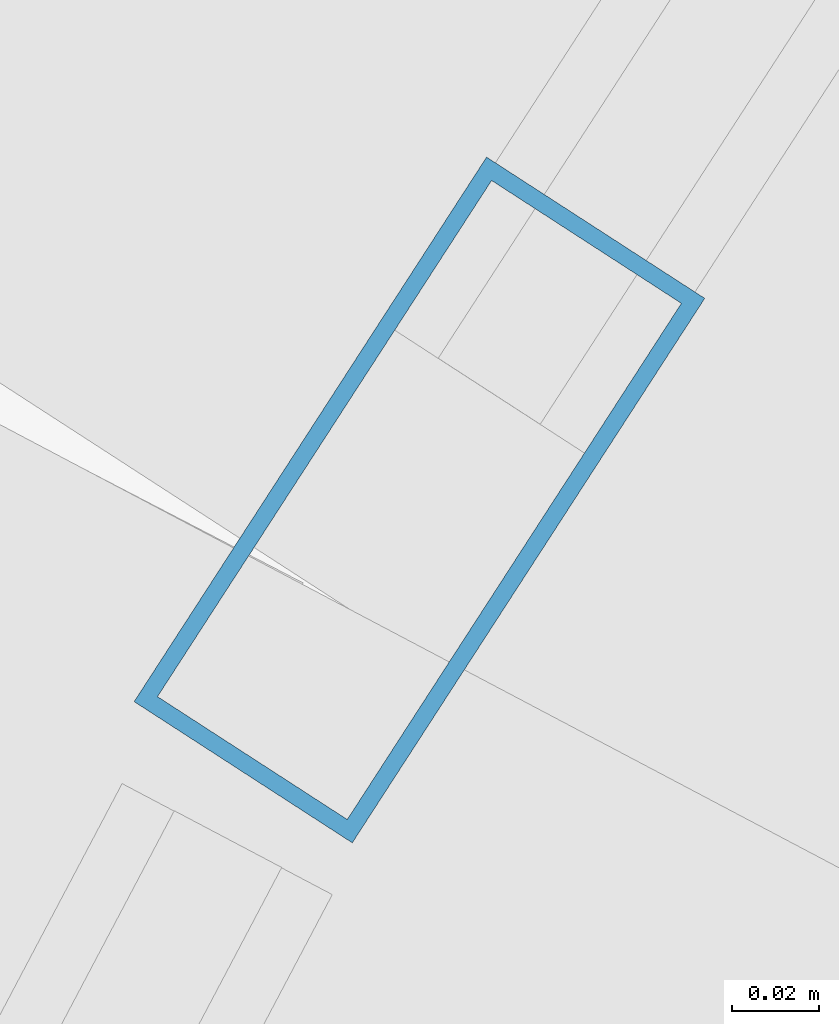
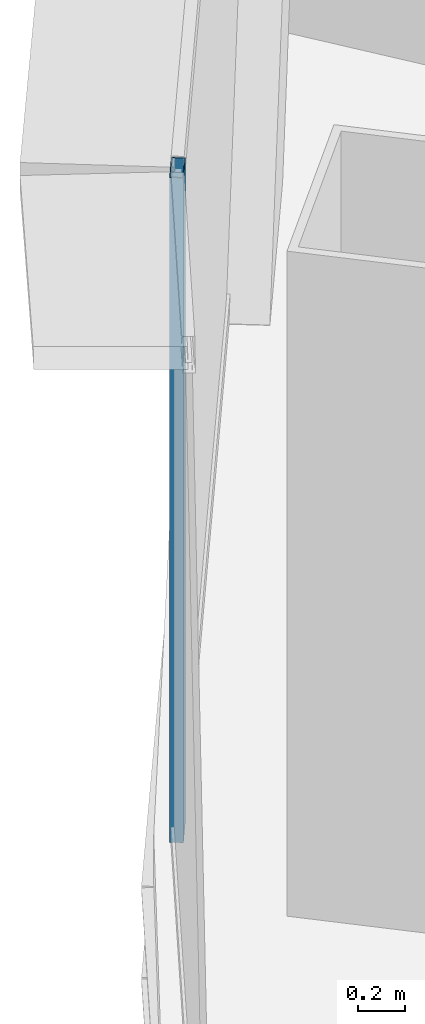
# One storey, part 16 of 39: 1 member, 1 element without a shape of its own.
"""IFC4 building model written with IfcOpenShell, lengths in metres."""

import ifcopenshell
import ifcopenshell.guid

model = None  # the IFC model being written
_history = None  # IfcOwnerHistory: only IFC2X3 demands one
_inside = {}  # id of a spatial element -> (the spatial element, [elements in it])
_under = {}  # id of a project, library or spatial element -> (it, [spatial elements below it])
_declared = {}  # id of a project -> (the project, [libraries it declares])
_typed = {}  # id of a type object -> (the type object, [elements of that type])
_made_of = {}  # id of a material, layer set ... -> (it, [elements and type objects made of it])


def new_model(schema):
    """Start an empty IFC model of exactly this schema.

    Asked for "IFC4X3", IfcOpenShell would pick the latest addendum, in which some entities
    have other attributes; the version numbers below select the first issue.
    IFC2X3 requires an IfcOwnerHistory on every rooted entity: one is made here for all.
    """
    global model, _history
    if schema == "IFC4X3":
        model = ifcopenshell.file(schema_version=(4, 3, 0, 0))
    else:
        model = ifcopenshell.file(schema=schema)
    _inside.clear()
    _under.clear()
    _declared.clear()
    _typed.clear()
    _made_of.clear()
    _history = None
    if model.schema == "IFC2X3":
        org = make("IfcOrganization", Name="unknown")
        user = make(
            "IfcPersonAndOrganization",
            ThePerson=make("IfcPerson", FamilyName="unknown"),
            TheOrganization=org,
        )
        app = make(
            "IfcApplication",
            ApplicationDeveloper=org,
            Version="unknown",
            ApplicationFullName="unknown",
            ApplicationIdentifier="unknown",
        )
        _history = make(
            "IfcOwnerHistory",
            OwningUser=user,
            OwningApplication=app,
            ChangeAction="ADDED",
            CreationDate=0,
        )
    return model


def make(cls, **values):
    """One entity of the class cls with the attributes given. An attribute that is None is left unset."""
    return model.create_entity(
        cls, **{name: value for name, value in values.items() if value is not None}
    )


def rooted(cls, **values):
    """An entity with a GlobalId (a new one), such as an element, a storey or a relation."""
    return make(cls, GlobalId=ifcopenshell.guid.new(), OwnerHistory=_history, **values)


def si_unit(unit_type, name, prefix=None):
    """IfcSIUnit, for example si_unit("LENGTHUNIT", "METRE", prefix="MILLI")."""
    return make("IfcSIUnit", UnitType=unit_type, Prefix=prefix, Name=name)


def assignment(units):
    """IfcUnitAssignment: the units of a project."""
    return None if units is None else make("IfcUnitAssignment", Units=units)


def point(xyz):
    """IfcCartesianPoint."""
    return None if xyz is None else make("IfcCartesianPoint", Coordinates=xyz)


def direction(xyz):
    """IfcDirection."""
    return None if xyz is None else make("IfcDirection", DirectionRatios=xyz)


def frame(location, z_axis=None, x_axis=None):
    """IfcAxis2Placement3D, a coordinate frame: its origin and axes. An axis left out is left unset."""
    return make(
        "IfcAxis2Placement3D",
        Location=point(location),
        Axis=direction(z_axis),
        RefDirection=direction(x_axis),
    )


def frame_2d(location, x_axis=None):
    """IfcAxis2Placement2D, a coordinate frame in the plane: its origin and x axis."""
    return make(
        "IfcAxis2Placement2D", Location=point(location), RefDirection=direction(x_axis)
    )


def origin():
    """The frame at (0, 0, 0) with its axes left unset."""
    return frame((0.0, 0.0, 0.0))


def origin_2d():
    """The frame at (0, 0) in the plane with its x axis left unset."""
    return frame_2d((0.0, 0.0))


def place(relative_to, where):
    """IfcLocalPlacement: puts the frame where relative to a parent placement (None: the world)."""
    return make(
        "IfcLocalPlacement", PlacementRelTo=relative_to, RelativePlacement=where
    )


def context(
    kind, dimensions, precision=None, world=None, true_north=None, identifier=None
):
    """IfcGeometricRepresentationContext, for example the 3D "Model" context."""
    return make(
        "IfcGeometricRepresentationContext",
        ContextIdentifier=identifier,
        ContextType=kind,
        CoordinateSpaceDimension=dimensions,
        Precision=precision,
        WorldCoordinateSystem=world,
        TrueNorth=true_north,
    )


def subcontext(parent, identifier, kind, view, scale=None):
    """IfcGeometricRepresentationSubContext, for example "Body" below "Model"."""
    return make(
        "IfcGeometricRepresentationSubContext",
        ContextIdentifier=identifier,
        ContextType=kind,
        ParentContext=parent,
        TargetScale=scale,
        TargetView=view,
    )


def project(units=None, contexts=None):
    """IfcProject with its units and contexts."""
    return rooted(
        "IfcProject",
        Name="project",
        RepresentationContexts=contexts,
        UnitsInContext=assignment(units),
    )


def spatial(cls, under=None, at=None, **own):
    """A site, building, storey or space (cls), placed at a placement, below another one or the project."""
    s = rooted(cls, ObjectPlacement=at, **own)
    if under is not None:
        _under.setdefault(under.id(), (under, []))[1].append(s)
    return s


def profile(cls, at=None, kind="AREA", **sizes):
    """A parametric profile (cls). Its sizes go by their IFC names, for example OverallWidth=200.0."""
    return make(cls, ProfileType=kind, Position=at, **sizes)


def hollow_rectangle(**sizes):
    """IfcRectangleHollowProfileDef."""
    return profile("IfcRectangleHollowProfileDef", **sizes)


def extrude(swept, where, along, depth):
    """IfcExtrudedAreaSolid: the profile swept, set in the frame where, extruded along a direction by depth."""
    return make(
        "IfcExtrudedAreaSolid",
        SweptArea=swept,
        Position=where,
        ExtrudedDirection=direction(along),
        Depth=depth,
    )


def shape(context_of_items, identifier, shape_type, items):
    """IfcShapeRepresentation: the items that make up one representation, for example the "Body"."""
    return make(
        "IfcShapeRepresentation",
        ContextOfItems=context_of_items,
        RepresentationIdentifier=identifier,
        RepresentationType=shape_type,
        Items=items,
    )


def source(mapping_origin, context_of_items, identifier, shape_type, items):
    """IfcRepresentationMap: a shape defined once, which mapped items show again and again."""
    return make(
        "IfcRepresentationMap",
        MappingOrigin=mapping_origin,
        MappedRepresentation=shape(context_of_items, identifier, shape_type, items),
    )


def transform(
    local_origin,
    x_axis=None,
    y_axis=None,
    z_axis=None,
    scale=None,
    scale2=None,
    scale3=None,
    uniform=True,
):
    """IfcCartesianTransformationOperator3D, or its non-uniform kind. x_axis, y_axis, z_axis: its Axis1, 2, 3."""
    if uniform:
        return make(
            "IfcCartesianTransformationOperator3D",
            Axis1=direction(x_axis),
            Axis2=direction(y_axis),
            LocalOrigin=point(local_origin),
            Scale=scale,
            Axis3=direction(z_axis),
        )
    return make(
        "IfcCartesianTransformationOperator3DnonUniform",
        Axis1=direction(x_axis),
        Axis2=direction(y_axis),
        LocalOrigin=point(local_origin),
        Scale=scale,
        Axis3=direction(z_axis),
        Scale2=scale2,
        Scale3=scale3,
    )


def mapped(mapping_source, mapping_target):
    """IfcMappedItem: shows the shape of a source again, moved by a transform."""
    return make(
        "IfcMappedItem", MappingSource=mapping_source, MappingTarget=mapping_target
    )


def material(Name=None, Category=None):
    """IfcMaterial."""
    return make("IfcMaterial", Name=Name, Category=Category)


def layer(
    of_material, thickness, ventilated=None, Name=None, Category=None, Priority=None
):
    """IfcMaterialLayer: one layer of a wall or slab, of a material (None: an air gap)."""
    return make(
        "IfcMaterialLayer",
        Material=of_material,
        LayerThickness=thickness,
        IsVentilated=ventilated,
        Name=Name,
        Category=Category,
        Priority=Priority,
    )


def layer_set(layers, Name=None):
    """IfcMaterialLayerSet."""
    return make("IfcMaterialLayerSet", MaterialLayers=layers, LayerSetName=Name)


def material_profile(
    of_material, cross_section, Name=None, Category=None, Priority=None
):
    """IfcMaterialProfile: a cross section and its material."""
    return make(
        "IfcMaterialProfile",
        Name=Name,
        Material=of_material,
        Profile=cross_section,
        Priority=Priority,
        Category=Category,
    )


def profile_set(profiles, Name=None, composite=None):
    """IfcMaterialProfileSet."""
    return make(
        "IfcMaterialProfileSet",
        Name=Name,
        MaterialProfiles=profiles,
        CompositeProfile=composite,
    )


def made_of(thing, what):
    """Note that an element or type object is made of a material, layer set ...; save() writes the relation."""
    if what is not None:
        _made_of.setdefault(what.id(), (what, []))[1].append(thing)
    return thing


def type_object(cls, material=None, **own):
    """A type object (cls), such as IfcWallType, which elements share."""
    return made_of(rooted(cls, **own), material)


def element(
    cls,
    number,
    at=None,
    inside=None,
    cuts=None,
    type_object=None,
    material=None,
    context=None,
    identifier="Body",
    shape_type=None,
    held_by="IfcProductDefinitionShape",
    body=None,
    shapes=None,
    **own,
):
    """One element of the class cls, such as IfcWall. Its Tag is "e" and its number.

    at: its placement. inside: the storey or other place that contains it. cuts: it is an
    opening in that element (IfcRelVoidsElement). A single representation is given by context,
    identifier, shape_type and body (its items); several are given by shapes. held_by: the class
    of the entity that holds the representations. save() writes the other relations.
    """
    e = rooted(cls, Tag="e%d" % number, ObjectPlacement=at, **own)
    if body is not None:
        shapes = [shape(context, identifier, shape_type, body)]
    if shapes is not None:
        e.Representation = make(held_by, Representations=shapes)
    if inside is not None:
        _inside.setdefault(inside.id(), (inside, []))[1].append(e)
    if cuts is not None:
        rooted(
            "IfcRelVoidsElement", RelatingBuildingElement=cuts, RelatedOpeningElement=e
        )
    if type_object is not None:
        _typed.setdefault(type_object.id(), (type_object, []))[1].append(e)
    return made_of(e, material)


def aggregate(whole, parts):
    """IfcRelAggregates: a whole, such as a stair, and the parts it consists of."""
    return rooted("IfcRelAggregates", RelatingObject=whole, RelatedObjects=parts)


def save(model, path):
    """Write the relations noted so far, then the file.

    IfcRelAggregates (storeys below a building ...), IfcRelContainedInSpatialStructure (elements
    in a storey), IfcRelDefinesByType, IfcRelAssociatesMaterial and IfcRelDeclares: one each for
    every whole, place, type object, material and project.
    """
    for whole, parts in _under.values():
        aggregate(whole, parts)
    for where, things in _inside.values():
        rooted(
            "IfcRelContainedInSpatialStructure",
            RelatedElements=things,
            RelatingStructure=where,
        )
    for kind, things in _typed.values():
        rooted("IfcRelDefinesByType", RelatedObjects=things, RelatingType=kind)
    for what, things in _made_of.values():
        rooted("IfcRelAssociatesMaterial", RelatedObjects=things, RelatingMaterial=what)
    for by, libraries in _declared.values():
        rooted("IfcRelDeclares", RelatingContext=by, RelatedDefinitions=libraries)
    model.write(path)


model = new_model("IFC4")

# Units and contexts
model_context = context("Model", 3, precision=1e-05, world=origin(), true_north=direction((0.0, 1.0)))
body_context = subcontext(model_context, "Body", "Model", "MODEL_VIEW")
ifc_project = project(units=[si_unit("LENGTHUNIT", "METRE"), si_unit("AREAUNIT", "SQUARE_METRE"), si_unit("VOLUMEUNIT", "CUBIC_METRE"), si_unit("PLANEANGLEUNIT", "RADIAN"), si_unit("MASSUNIT", "GRAM", prefix="KILO"), si_unit("THERMODYNAMICTEMPERATUREUNIT", "KELVIN"), si_unit("POWERUNIT", "WATT")], contexts=[model_context])

# Site, building, storey
site_placement = place(None, origin())
site = spatial("IfcSite", under=ifc_project, at=site_placement, CompositionType="ELEMENT")
building_placement = place(site_placement, origin())
building = spatial("IfcBuilding", under=site, at=building_placement, Name="Yunzhuo Pagoda Commons", CompositionType="ELEMENT")
storey_placement = place(building_placement, frame((0.0, 0.0, 162.949951171875)))
storey = spatial("IfcBuildingStorey", under=building, at=storey_placement, Name="L41", CompositionType="ELEMENT", Elevation=162.949951171875)

# Curtain wall, member
ifc_material = material(Name="Anodized aluminium 6063-T6", Category="aluminium")
ifc_layer = layer(ifc_material, 0.14990234375)
ifc_layer_set = layer_set([ifc_layer], Name="Anodized aluminium 6063-T6")
curtain_wall_type = type_object("IfcCurtainWallType", Name="CW-MID Mid-Zone Ribbon Curtain Wall", PredefinedType="NOTDEFINED", material=ifc_layer_set)
curtain_wall_placement = place(storey_placement, origin())
curtain_wall = element("IfcCurtainWall", 1, at=curtain_wall_placement, inside=storey, type_object=curtain_wall_type, Name="L41 curtain wall CW-L41-F3B2", PredefinedType="NOTDEFINED")
ifc_material_profile = material_profile(ifc_material, hollow_rectangle(XDim=0.06005859375, YDim=0.14990234375, WallThickness=0.00390625, at=origin_2d()), Name="Anodized aluminium 6063-T6")
ifc_profile_set = profile_set([ifc_material_profile], Name="Anodized aluminium 6063-T6")
member_type = type_object("IfcMemberType", Name="CW-MID-M Mullion RHS 150x60x4", PredefinedType="MULLION", material=ifc_profile_set)
shared_shape = source(origin(), body_context, "Body", "SweptSolid", [
    extrude(hollow_rectangle(XDim=0.06005859375, YDim=0.14990234375, WallThickness=0.00390625, at=origin_2d()), origin(), (0.0, 0.0, 1.0), 3.420166015625),
])
member_placement = place(storey_placement, frame((23.469970703125, 55.826904296875, 0.0), z_axis=(0.0, 0.0, 1.0), x_axis=(0.839466065689, -0.543412113002, 0.0)))
member = element("IfcMember", 2, at=member_placement, type_object=member_type, Name="CW mullion 2", PredefinedType="MULLION", context=body_context, shape_type="MappedRepresentation", body=[
    mapped(shared_shape, transform((0.0, 0.0, 0.0), scale=1.0)),
])
aggregate(curtain_wall, [member])

save(model, "model.ifc")
